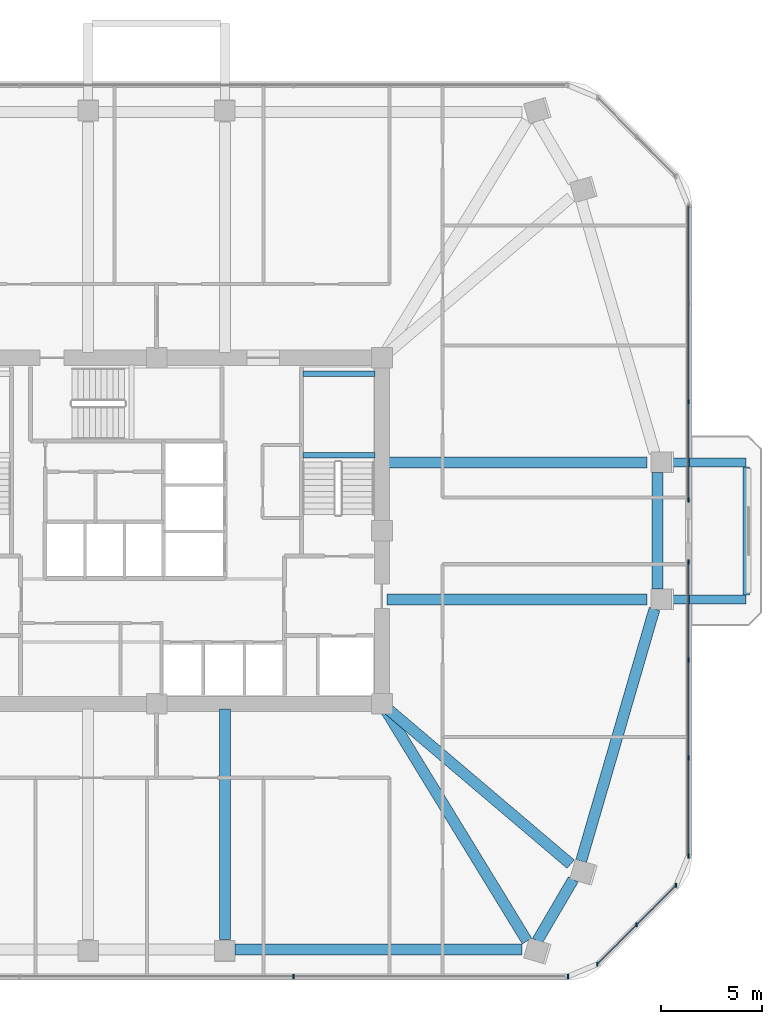
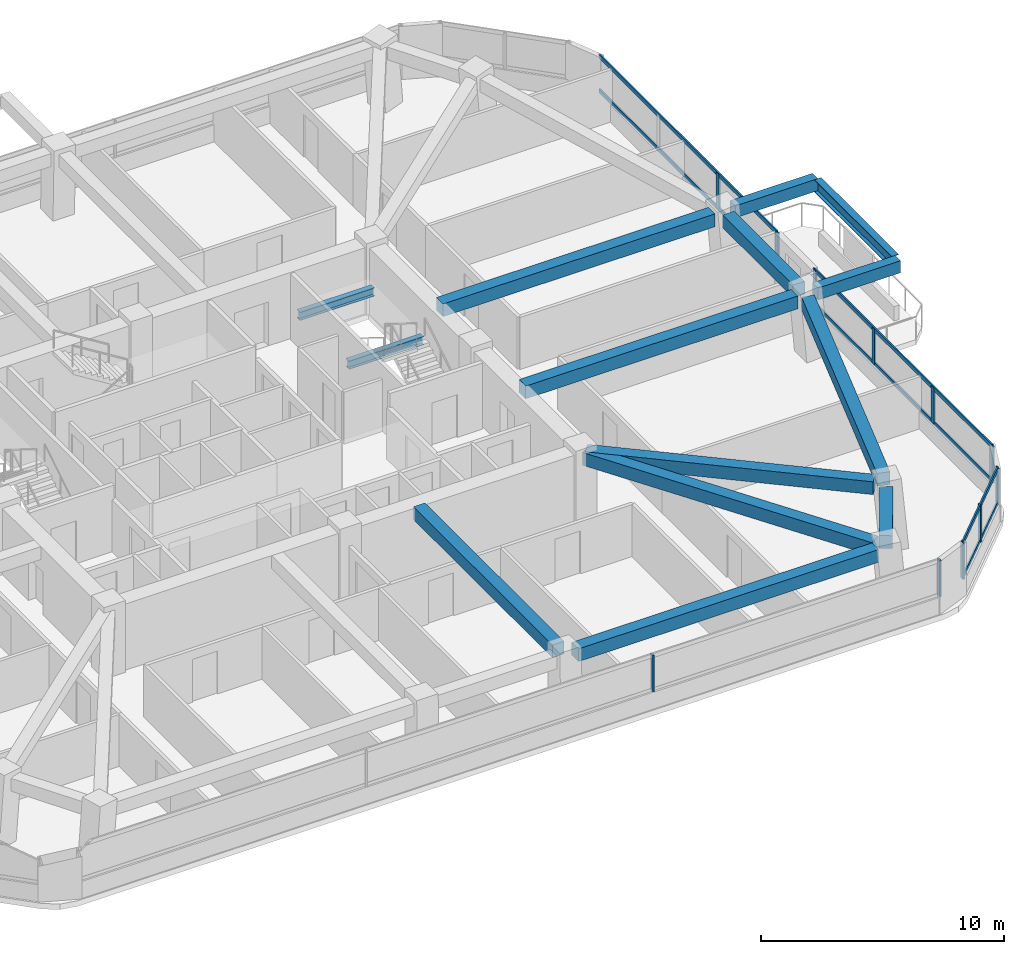
# One storey, part 5 of 15: 17 members, 14 beams, 4 elements without a shape of their own.
"""IFC4 building model written with IfcOpenShell, lengths in metres."""

from ifc_helpers import new_model, si_unit, derived_unit, direction, frame, origin, origin_2d, place, context, subcontext, project, spatial, rectangle, i_section, extrude, material, material_profile, profile_set, type_object, element, aggregate, save


model = new_model("IFC4")

# Units and contexts
model_context = context("Model", 3, precision=1e-05, world=origin(), true_north=direction((0.0, 1.0)))
body_context = subcontext(model_context, "Body", "Model", "MODEL_VIEW")
ifc_project = project(units=[si_unit("LENGTHUNIT", "METRE"), si_unit("AREAUNIT", "SQUARE_METRE"), si_unit("VOLUMEUNIT", "CUBIC_METRE"), si_unit("PLANEANGLEUNIT", "RADIAN"), si_unit("MASSUNIT", "GRAM", prefix="KILO"), derived_unit("THERMALTRANSMITTANCEUNIT", [(si_unit("POWERUNIT", "WATT"), 1), (si_unit("LENGTHUNIT", "METRE"), -2), (si_unit("THERMODYNAMICTEMPERATUREUNIT", "KELVIN"), -1)])], contexts=[model_context])

# Site, building, storey
site_placement = place(None, origin())
site = spatial("IfcSite", under=ifc_project, at=site_placement, CompositionType="ELEMENT")
building_placement = place(site_placement, origin())
building = spatial("IfcBuilding", under=site, at=building_placement, Name="Koralith Skygarden Medical Center", CompositionType="ELEMENT")
storey_placement = place(building_placement, frame((0.0, 0.0, 91.97998046875)))
storey = spatial("IfcBuildingStorey", under=building, at=storey_placement, Name="L23", CompositionType="ELEMENT", Elevation=91.97998046875)

# Curtain wall, members
ifc_material_1 = material(Name="Clear Laminated Glass", Category="glass")
curtain_wall_type = type_object("IfcCurtainWallType", Name="CW-3 Zone 2 Faceted Solar Curtain Wall", PredefinedType="NOTDEFINED", material=ifc_material_1)
curtain_wall_1_placement = place(storey_placement, origin())
curtain_wall_1 = element("IfcCurtainWall", 1, at=curtain_wall_1_placement, inside=storey, type_object=curtain_wall_type, Name="Curtain Wall CW-L23-S", PredefinedType="NOTDEFINED")
ifc_material_2 = material(Name="Aluminium 6063-T6", Category="aluminium")
ifc_material_profile_1 = material_profile(ifc_material_2, rectangle(XDim=0.073974609375, YDim=0.219970703125, at=origin_2d()), Name="MUL74X220")
ifc_profile_set_1 = profile_set([ifc_material_profile_1], Name="Aluminium 6063-T6")
member_type_1 = type_object("IfcMemberType", Name="CW-3 Extruded Mullion 74x220", PredefinedType="MULLION", material=ifc_profile_set_1)
member_1_placement = place(storey_placement, frame((43.81396484375, 3.76806640625, 0.85009765625), z_axis=(0.0, 0.0, 1.0), x_axis=(1.0, 0.0, 0.0)))
member_1 = element("IfcMember", 2, at=member_1_placement, type_object=member_type_1, Name="CW-L23-S Mullion 3", PredefinedType="MULLION", context=body_context, shape_type="SweptSolid", body=[
    extrude(rectangle(XDim=0.073974609375, YDim=0.219970703125, at=origin_2d()), origin(), (0.0, 0.0, 1.0), 1.81982421875),
])
member_2_placement = place(storey_placement, frame((57.44189453125, 3.76806640625, 0.85009765625), z_axis=(0.0, 0.0, 1.0), x_axis=(1.0, 0.0, 0.0)))
member_2 = element("IfcMember", 3, at=member_2_placement, type_object=member_type_1, Name="CW-L23-S Mullion 4", PredefinedType="MULLION", context=body_context, shape_type="SweptSolid", body=[
    extrude(rectangle(XDim=0.073974609375, YDim=0.219970703125, at=origin_2d()), origin(), (0.0, 0.0, 1.0), 1.81982421875),
])
aggregate(curtain_wall_1, [member_1, member_2])

curtain_wall_2_placement = place(storey_placement, origin())
curtain_wall_2 = element("IfcCurtainWall", 4, at=curtain_wall_2_placement, inside=storey, type_object=curtain_wall_type, Name="Curtain Wall CW-L23-SE", PredefinedType="NOTDEFINED")
member_3_placement = place(storey_placement, frame((58.89306640625, 4.3701171875, 0.85009765625), z_axis=(0.0, 0.0, 1.0), x_axis=(1.0, 0.0, 0.0)))
member_3 = element("IfcMember", 5, at=member_3_placement, type_object=member_type_1, Name="CW-L23-SE Mullion 1", PredefinedType="MULLION", context=body_context, shape_type="SweptSolid", body=[
    extrude(rectangle(XDim=0.073974609375, YDim=0.219970703125, at=origin_2d()), origin(), (0.0, 0.0, 1.0), 1.81982421875),
])
member_4_placement = place(storey_placement, frame((60.85498046875, 6.33203125, 0.85009765625), z_axis=(0.0, 0.0, 1.0), x_axis=(1.0, 0.0, 0.0)))
member_4 = element("IfcMember", 6, at=member_4_placement, type_object=member_type_1, Name="CW-L23-SE Mullion 2", PredefinedType="MULLION", context=body_context, shape_type="SweptSolid", body=[
    extrude(rectangle(XDim=0.073974609375, YDim=0.219970703125, at=origin_2d()), origin(), (0.0, 0.0, 1.0), 1.81982421875),
])
member_5_placement = place(storey_placement, frame((62.81591796875, 8.29296875, 0.85009765625), z_axis=(0.0, 0.0, 1.0), x_axis=(1.0, 0.0, 0.0)))
member_5 = element("IfcMember", 7, at=member_5_placement, type_object=member_type_1, Name="CW-L23-SE Mullion 3", PredefinedType="MULLION", context=body_context, shape_type="SweptSolid", body=[
    extrude(rectangle(XDim=0.073974609375, YDim=0.219970703125, at=origin_2d()), origin(), (0.0, 0.0, 1.0), 1.81982421875),
])

curtain_wall_3_placement = place(storey_placement, origin())
curtain_wall_3 = element("IfcCurtainWall", 8, at=curtain_wall_3_placement, inside=storey, type_object=curtain_wall_type, Name="Curtain Wall CW-L23-E-L", PredefinedType="NOTDEFINED")
member_6_placement = place(storey_placement, frame((63.41796875, 9.743896484375, 0.85009765625), z_axis=(0.0, 0.0, 1.0), x_axis=(1.0, 0.0, 0.0)))
member_6 = element("IfcMember", 9, at=member_6_placement, type_object=member_type_1, Name="CW-L23-E-L Mullion 1", PredefinedType="MULLION", context=body_context, shape_type="SweptSolid", body=[
    extrude(rectangle(XDim=0.073974609375, YDim=0.219970703125, at=origin_2d()), origin(), (0.0, 0.0, 1.0), 1.81982421875),
])
member_7_placement = place(storey_placement, frame((63.41796875, 14.615966796875, 0.85009765625), z_axis=(0.0, 0.0, 1.0), x_axis=(1.0, 0.0, 0.0)))
member_7 = element("IfcMember", 10, at=member_7_placement, type_object=member_type_1, Name="CW-L23-E-L Mullion 2", PredefinedType="MULLION", context=body_context, shape_type="SweptSolid", body=[
    extrude(rectangle(XDim=0.073974609375, YDim=0.219970703125, at=origin_2d()), origin(), (0.0, 0.0, 1.0), 1.81982421875),
])
member_8_placement = place(storey_placement, frame((63.41796875, 19.488037109375, 0.85009765625), z_axis=(0.0, 0.0, 1.0), x_axis=(1.0, 0.0, 0.0)))
member_8 = element("IfcMember", 11, at=member_8_placement, type_object=member_type_1, Name="CW-L23-E-L Mullion 3", PredefinedType="MULLION", context=body_context, shape_type="SweptSolid", body=[
    extrude(rectangle(XDim=0.073974609375, YDim=0.219970703125, at=origin_2d()), origin(), (0.0, 0.0, 1.0), 1.81982421875),
])
member_9_placement = place(storey_placement, frame((63.41796875, 24.360107421875, 0.85009765625), z_axis=(0.0, 0.0, 1.0), x_axis=(1.0, 0.0, 0.0)))
member_9 = element("IfcMember", 12, at=member_9_placement, type_object=member_type_1, Name="CW-L23-E-L Mullion 4", PredefinedType="MULLION", context=body_context, shape_type="SweptSolid", body=[
    extrude(rectangle(XDim=0.073974609375, YDim=0.219970703125, at=origin_2d()), origin(), (0.0, 0.0, 1.0), 1.81982421875),
])

curtain_wall_4_placement = place(storey_placement, origin())
curtain_wall_4 = element("IfcCurtainWall", 13, at=curtain_wall_4_placement, inside=storey, type_object=curtain_wall_type, Name="Curtain Wall CW-L23-E-R", PredefinedType="NOTDEFINED")
member_10_placement = place(storey_placement, frame((63.41796875, 27.43994140625, 0.85009765625), z_axis=(0.0, 0.0, 1.0), x_axis=(1.0, 0.0, 0.0)))
member_10 = element("IfcMember", 14, at=member_10_placement, type_object=member_type_1, Name="CW-L23-E-R Mullion 1", PredefinedType="MULLION", context=body_context, shape_type="SweptSolid", body=[
    extrude(rectangle(XDim=0.073974609375, YDim=0.219970703125, at=origin_2d()), origin(), (0.0, 0.0, 1.0), 1.81982421875),
])
member_11_placement = place(storey_placement, frame((63.41796875, 32.31201171875, 0.85009765625), z_axis=(0.0, 0.0, 1.0), x_axis=(1.0, 0.0, 0.0)))
member_11 = element("IfcMember", 15, at=member_11_placement, type_object=member_type_1, Name="CW-L23-E-R Mullion 2", PredefinedType="MULLION", context=body_context, shape_type="SweptSolid", body=[
    extrude(rectangle(XDim=0.073974609375, YDim=0.219970703125, at=origin_2d()), origin(), (0.0, 0.0, 1.0), 1.81982421875),
])

# Member
ifc_material_profile_2 = material_profile(ifc_material_2, rectangle(XDim=0.069091796875, YDim=0.197998046875, at=origin_2d()), Name="TRN69X198")
ifc_profile_set_2 = profile_set([ifc_material_profile_2], Name="Aluminium 6063-T6")
member_type_2 = type_object("IfcMemberType", Name="CW-3 Thermal Transom 69x198", PredefinedType="USERDEFINED", material=ifc_profile_set_2)
member_12_placement = place(storey_placement, frame((58.89306640625, 4.3701171875, 0.89990234375), z_axis=(0.707106781187, 0.707106781187, 0.0), x_axis=(-0.707106781187, 0.707106781187, 0.0)))
member_12 = element("IfcMember", 16, at=member_12_placement, type_object=member_type_2, Name="CW-L23-SE Transom 1", ObjectType="TRANSOM", PredefinedType="USERDEFINED", context=body_context, shape_type="SweptSolid", body=[
    extrude(rectangle(XDim=0.069091796875, YDim=0.197998046875, at=origin_2d()), origin(), (0.0, 0.0, 1.0), 5.5478515625),
])

member_13_placement = place(storey_placement, frame((58.89306640625, 4.3701171875, 2.6201171875), z_axis=(0.707106781187, 0.707106781187, 0.0), x_axis=(-0.707106781187, 0.707106781187, 0.0)))
member_13 = element("IfcMember", 17, at=member_13_placement, type_object=member_type_2, Name="CW-L23-SE Transom 2", ObjectType="TRANSOM", PredefinedType="USERDEFINED", context=body_context, shape_type="SweptSolid", body=[
    extrude(rectangle(XDim=0.069091796875, YDim=0.197998046875, at=origin_2d()), origin(), (0.0, 0.0, 1.0), 5.5478515625),
])

aggregate(curtain_wall_2, [member_3, member_4, member_5, member_12, member_13])

member_14_placement = place(storey_placement, frame((63.41796875, 9.743896484375, 0.89990234375), z_axis=(0.0, 1.0, 0.0), x_axis=(-1.0, 0.0, 0.0)))
member_14 = element("IfcMember", 18, at=member_14_placement, type_object=member_type_2, Name="CW-L23-E-L Transom 1", ObjectType="TRANSOM", PredefinedType="USERDEFINED", context=body_context, shape_type="SweptSolid", body=[
    extrude(rectangle(XDim=0.069091796875, YDim=0.197998046875, at=origin_2d()), origin(), (0.0, 0.0, 1.0), 14.6162109375),
])

member_15_placement = place(storey_placement, frame((63.41796875, 9.743896484375, 2.6201171875), z_axis=(0.0, 1.0, 0.0), x_axis=(-1.0, 0.0, 0.0)))
member_15 = element("IfcMember", 19, at=member_15_placement, type_object=member_type_2, Name="CW-L23-E-L Transom 2", ObjectType="TRANSOM", PredefinedType="USERDEFINED", context=body_context, shape_type="SweptSolid", body=[
    extrude(rectangle(XDim=0.069091796875, YDim=0.197998046875, at=origin_2d()), origin(), (0.0, 0.0, 1.0), 14.6162109375),
])

aggregate(curtain_wall_3, [member_6, member_7, member_8, member_9, member_14, member_15])

member_16_placement = place(storey_placement, frame((63.41796875, 27.43994140625, 0.89990234375), z_axis=(0.0, 1.0, 0.0), x_axis=(-1.0, 0.0, 0.0)))
member_16 = element("IfcMember", 20, at=member_16_placement, type_object=member_type_2, Name="CW-L23-E-R Transom 1", ObjectType="TRANSOM", PredefinedType="USERDEFINED", context=body_context, shape_type="SweptSolid", body=[
    extrude(rectangle(XDim=0.069091796875, YDim=0.197998046875, at=origin_2d()), origin(), (0.0, 0.0, 1.0), 14.615966796875),
])

member_17_placement = place(storey_placement, frame((63.41796875, 27.43994140625, 2.6201171875), z_axis=(0.0, 1.0, 0.0), x_axis=(-1.0, 0.0, 0.0)))
member_17 = element("IfcMember", 21, at=member_17_placement, type_object=member_type_2, Name="CW-L23-E-R Transom 2", ObjectType="TRANSOM", PredefinedType="USERDEFINED", context=body_context, shape_type="SweptSolid", body=[
    extrude(rectangle(XDim=0.069091796875, YDim=0.197998046875, at=origin_2d()), origin(), (0.0, 0.0, 1.0), 14.615966796875),
])

aggregate(curtain_wall_4, [member_10, member_11, member_16, member_17])

# Beams
ifc_material_3 = material(Name="Steel ASTM A992 Grade 50", Category="steel")
ifc_material_profile_3 = material_profile(ifc_material_3, i_section(OverallWidth=0.326904296875, OverallDepth=0.6220703125, WebThickness=0.015380859375, FlangeThickness=0.0244140625, at=origin_2d()), Name="W24X131")
ifc_profile_set_3 = profile_set([ifc_material_profile_3], Name="Steel ASTM A992 Grade 50")
beam_type_1 = type_object("IfcBeamType", Name="Cantilever Tie Beam W24X131", PredefinedType="BEAM", material=ifc_profile_set_3)
beam_1_placement = place(storey_placement, frame((66.285888671875, 22.719970703125, 3.029052734375), z_axis=(0.0, 1.0, 0.0), x_axis=(-1.0, 0.0, 0.0)))
element("IfcBeam", 22, at=beam_1_placement, inside=storey, type_object=beam_type_1, Name="L24 E Balcony Tip Tie Beam", PredefinedType="BEAM", context=body_context, shape_type="SweptSolid", body=[
    extrude(i_section(OverallWidth=0.326904296875, OverallDepth=0.6220703125, WebThickness=0.015380859375, FlangeThickness=0.0244140625, at=origin_2d()), origin(), (0.0, 0.0, 1.0), 6.360107421875),
])
ifc_material_profile_4 = material_profile(ifc_material_3, i_section(OverallWidth=0.260009765625, OverallDepth=0.4150390625, WebThickness=0.010009765625, FlangeThickness=0.016845703125, at=origin_2d()), Name="W16X67")
ifc_profile_set_4 = profile_set([ifc_material_profile_4], Name="Steel ASTM A992 Grade 50")
beam_type_2 = type_object("IfcBeamType", Name="Clinical Floor Joist W16X67", PredefinedType="JOIST", material=ifc_profile_set_4)
for number, where, z_axis, x_axis, name in (
    (23, (44.280029296875, 29.659912109375, 1.39306640625), (1.0, 0.0, 0.0), (0.0, 1.0, 0.0), "L23 Stair ST2 Half-Landing Support Beam 1A"),
    (24, (44.280029296875, 33.699951171875, 1.39306640625), (1.0, 0.0, 0.0), (0.0, 1.0, 0.0), "L23 Stair ST2 Half-Landing Support Beam 1B"),
):
    element("IfcBeam", number, at=place(storey_placement, frame(where, z_axis=z_axis, x_axis=x_axis)), inside=storey, type_object=beam_type_2, Name=name, PredefinedType="JOIST", context=body_context, shape_type="SweptSolid", body=[
        extrude(i_section(OverallWidth=0.260009765625, OverallDepth=0.4150390625, WebThickness=0.010009765625, FlangeThickness=0.016845703125, at=origin_2d()), origin(), (0.0, 0.0, 1.0), 3.56494140625),
    ])
ifc_material_4 = material(Name="Concrete C45/55", Category="concrete")
ifc_material_profile_5 = material_profile(ifc_material_4, rectangle(XDim=0.449951171875, YDim=0.60009765625, at=origin_2d()), Name="RCB450X600")
ifc_profile_set_5 = profile_set([ifc_material_profile_5], Name="Concrete C45/55")
beam_type_3 = type_object("IfcBeamType", Name="Planted Balcony Cantilever Beam RCB450X600", PredefinedType="BEAM", material=ifc_profile_set_5)
for number, where, z_axis, x_axis, name in (
    (25, (62.365966796875, 22.5, 3.0400390625), (1.0, 0.0, 0.0), (0.0, 1.0, 0.0), "L24 E Balcony Cantilever Beam A"),
    (26, (62.365966796875, 29.300048828125, 3.0400390625), (1.0, 0.0, 0.0), (0.0, 1.0, 0.0), "L24 E Balcony Cantilever Beam B"),
):
    element("IfcBeam", number, at=place(storey_placement, frame(where, z_axis=z_axis, x_axis=x_axis)), inside=storey, type_object=beam_type_3, Name=name, PredefinedType="BEAM", context=body_context, shape_type="SweptSolid", body=[
        extrude(rectangle(XDim=0.449951171875, YDim=0.60009765625, at=origin_2d()), origin(), (0.0, 0.0, 1.0), 3.919921875),
    ])
ifc_material_profile_6 = material_profile(ifc_material_4, rectangle(XDim=0.550048828125, YDim=0.639892578125, at=origin_2d()), Name="RCB550X640")
ifc_profile_set_6 = profile_set([ifc_material_profile_6], Name="Concrete C45/55")
beam_type_4 = type_object("IfcBeamType", Name="Radial Collector Beam RCB550X640", PredefinedType="BEAM", material=ifc_profile_set_6)
beam_2_placement = place(storey_placement, frame((40.39990234375, 17.050048828125, 3.0), z_axis=(0.0, -1.0, 0.0), x_axis=(1.0, 0.0, 0.0)))
element("IfcBeam", 27, at=beam_2_placement, inside=storey, type_object=beam_type_4, Name="L23 Radial Collector Beam RB-05", PredefinedType="BEAM", context=body_context, shape_type="SweptSolid", body=[
    extrude(rectangle(XDim=0.550048828125, YDim=0.639892578125, at=origin_2d()), origin(), (0.0, 0.0, 1.0), 11.453125),
])
beam_3_placement = place(storey_placement, frame((48.330078125, 17.0869140625, 3.0), z_axis=(0.521811326111, -0.853060923933, 0.0), x_axis=(0.853060923933, 0.521811326111, 0.0)))
element("IfcBeam", 28, at=beam_3_placement, inside=storey, type_object=beam_type_4, Name="L23 Radial Collector Beam RB-06", PredefinedType="BEAM", context=body_context, shape_type="SweptSolid", body=[
    extrude(rectangle(XDim=0.550048828125, YDim=0.639892578125, at=origin_2d()), origin(), (0.0, 0.0, 1.0), 13.5546875),
])
beam_4_placement = place(storey_placement, frame((48.39111328125, 17.137939453125, 3.0), z_axis=(0.762289739891, -0.647235932607, 0.0), x_axis=(0.647235932607, 0.762289739891, 0.0)))
element("IfcBeam", 29, at=beam_4_placement, inside=storey, type_object=beam_type_4, Name="L23 Radial Collector Beam RB-07", PredefinedType="BEAM", context=body_context, shape_type="SweptSolid", body=[
    extrude(rectangle(XDim=0.550048828125, YDim=0.639892578125, at=origin_2d()), origin(), (0.0, 0.0, 1.0), 12.04638671875),
])
for number, where, z_axis, x_axis, name in (
    (30, (48.449951171875, 22.5, 3.0), (1.0, 0.0, 0.0), (0.0, 1.0, 0.0), "L23 Radial Collector Beam RB-08"),
    (31, (48.449951171875, 29.300048828125, 3.0), (1.0, 0.0, 0.0), (0.0, 1.0, 0.0), "L23 Radial Collector Beam RB-09"),
):
    element("IfcBeam", number, at=place(storey_placement, frame(where, z_axis=z_axis, x_axis=x_axis)), inside=storey, type_object=beam_type_4, Name=name, PredefinedType="BEAM", context=body_context, shape_type="SweptSolid", body=[
        extrude(rectangle(XDim=0.550048828125, YDim=0.639892578125, at=origin_2d()), origin(), (0.0, 0.0, 1.0), 12.926025390625),
    ])
ifc_material_profile_7 = material_profile(ifc_material_4, rectangle(XDim=0.550048828125, YDim=0.639892578125, at=origin_2d()), Name="RCB550X640")
ifc_profile_set_7 = profile_set([ifc_material_profile_7], Name="Concrete C45/55")
beam_type_5 = type_object("IfcBeamType", Name="Zone 2-3 Spandrel Beam RCB550X640", PredefinedType="SPANDREL", material=ifc_profile_set_7)
beam_5_placement = place(storey_placement, frame((40.89990234375, 5.096923828125, 3.0), z_axis=(1.0, 0.0, 0.0), x_axis=(0.0, 1.0, 0.0)))
element("IfcBeam", 32, at=beam_5_placement, inside=storey, type_object=beam_type_5, Name="L23 Perimeter Spandrel Beam SP-05", PredefinedType="SPANDREL", context=body_context, shape_type="SweptSolid", body=[
    extrude(rectangle(XDim=0.550048828125, YDim=0.639892578125, at=origin_2d()), origin(), (0.0, 0.0, 1.0), 14.26416015625),
])
beam_6_placement = place(storey_placement, frame((55.916015625, 5.529052734375, 3.0), z_axis=(0.504766963518, 0.863255647268, 0.0), x_axis=(-0.863255647268, 0.504766963518, 0.0)))
element("IfcBeam", 33, at=beam_6_placement, inside=storey, type_object=beam_type_5, Name="L23 Perimeter Spandrel Beam SP-06", PredefinedType="SPANDREL", context=body_context, shape_type="SweptSolid", body=[
    extrude(rectangle(XDim=0.550048828125, YDim=0.639892578125, at=origin_2d()), origin(), (0.0, 0.0, 1.0), 3.5400390625),
])
beam_7_placement = place(storey_placement, frame((58.094970703125, 9.4970703125, 3.0), z_axis=(0.279193344291, 0.960234906939, 0.0), x_axis=(-0.960234906939, 0.279193344291, 0.0)))
element("IfcBeam", 34, at=beam_7_placement, inside=storey, type_object=beam_type_5, Name="L23 Perimeter Spandrel Beam SP-07", PredefinedType="SPANDREL", context=body_context, shape_type="SweptSolid", body=[
    extrude(rectangle(XDim=0.550048828125, YDim=0.639892578125, at=origin_2d()), origin(), (0.0, 0.0, 1.0), 13.04150390625),
])
beam_8_placement = place(storey_placement, frame((61.8759765625, 23.0, 3.0), z_axis=(0.0, 1.0, 0.0), x_axis=(-1.0, 0.0, 0.0)))
element("IfcBeam", 35, at=beam_8_placement, inside=storey, type_object=beam_type_5, Name="L23 Perimeter Spandrel Beam SP-08", PredefinedType="SPANDREL", context=body_context, shape_type="SweptSolid", body=[
    extrude(rectangle(XDim=0.550048828125, YDim=0.639892578125, at=origin_2d()), origin(), (0.0, 0.0, 1.0), 5.800048828125),
])

save(model, "model.ifc")
